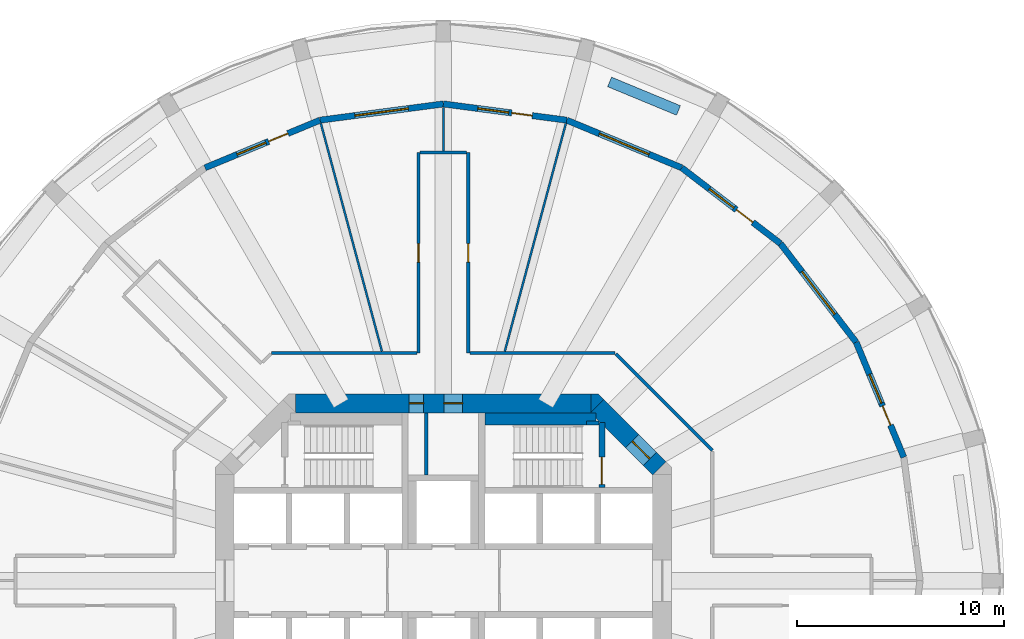
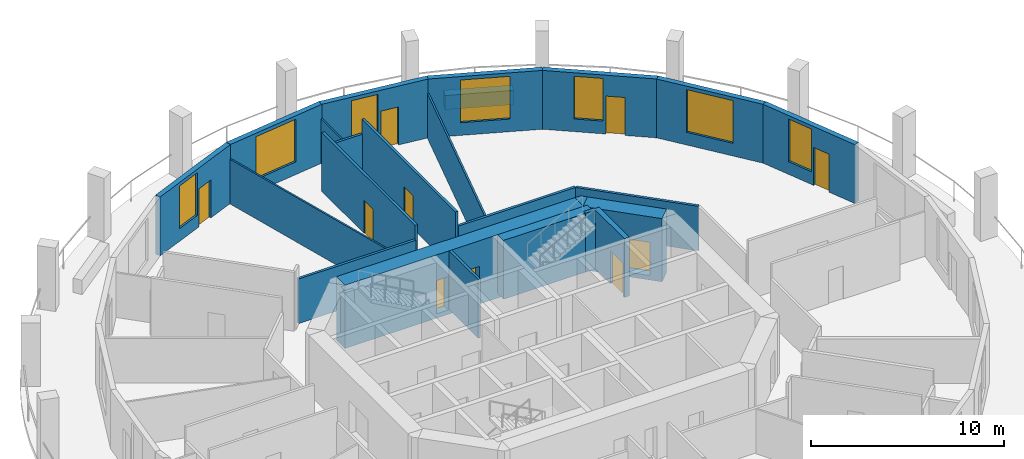
# One storey, part 6 of 9: 24 walls, 10 doors, 7 windows, 17 openings.
"""IFC4 building model written with IfcOpenShell, lengths in metres."""

from ifc_helpers import new_model, si_unit, direction, frame, frame_2d, origin, place, context, subcontext, project, spatial, polyline, rectangle, outline, extrude, material, layer, layer_set, type_object, element, fill, save


model = new_model("IFC4")

# Units and contexts
model_context = context("Model", 3, precision=1e-05, world=origin(), true_north=direction((0.0, 1.0)))
body_context = subcontext(model_context, "Body", "Model", "MODEL_VIEW")
ifc_project = project(units=[si_unit("LENGTHUNIT", "METRE"), si_unit("AREAUNIT", "SQUARE_METRE"), si_unit("VOLUMEUNIT", "CUBIC_METRE"), si_unit("PLANEANGLEUNIT", "RADIAN"), si_unit("MASSUNIT", "GRAM", prefix="KILO")], contexts=[model_context])

# Site, building, storey
site_placement = place(None, origin())
site = spatial("IfcSite", under=ifc_project, at=site_placement, CompositionType="ELEMENT")
building_placement = place(site_placement, origin())
building = spatial("IfcBuilding", under=site, at=building_placement, Name="Torre Triforio", CompositionType="ELEMENT")
storey_placement = place(building_placement, frame((0.0, 0.0, 31.0)))
storey = spatial("IfcBuildingStorey", under=building, at=storey_placement, Name="L05", CompositionType="ELEMENT", Elevation=31.0)

# Wall, openings, doors
ifc_material_1 = material(Name="Concrete C60", Category="concrete")
ifc_layer_1 = layer(ifc_material_1, 0.89990234375)
ifc_layer_set_1 = layer_set([ifc_layer_1], Name="Concrete C60")
wall_type_1 = type_object("IfcWallType", Name="Core wall 900 mm C60 EI 120", PredefinedType="SHEAR", material=ifc_layer_set_1)
wall_1_placement = place(storey_placement, frame((-7.1298828125, 8.550048828125, -0.280029296875), z_axis=(0.0, 0.0, 1.0), x_axis=(1.0, 0.0, 0.0)))
wall_1 = element("IfcWall", 1, at=wall_1_placement, inside=storey, type_object=wall_type_1, Name="Core wall", PredefinedType="SHEAR", context=body_context, shape_type="SweptSolid", body=[
    extrude(rectangle(XDim=14.259765625, YDim=0.89990234375, at=frame_2d((7.1298828125, 0.0))), origin(), (0.0, 0.0, 1.0), 4.0),
])
opening_1_placement = place(wall_1_placement, frame((5.47998046875, 0.0, 0.280029296875)))
opening_1 = element("IfcOpeningElement", 2, at=opening_1_placement, cuts=wall_1, Name="Opening RISER-N", PredefinedType="OPENING", context=body_context, shape_type="SweptSolid", body=[
    extrude(rectangle(XDim=0.699951171875, YDim=2.10009765625, at=frame_2d((0.35009765625, 1.050048828125))), frame((0.0, 0.4599609375, 0.0), z_axis=(0.0, -1.0, 0.0), x_axis=(1.0, 0.0, 0.0)), (0.0, 0.0, 1.0), 0.919921875),
])
opening_2_placement = place(wall_1_placement, frame((7.155029296875, 0.0, 0.280029296875)))
opening_2 = element("IfcOpeningElement", 3, at=opening_2_placement, cuts=wall_1, Name="Opening NE-01", PredefinedType="OPENING", context=body_context, shape_type="SweptSolid", body=[
    extrude(rectangle(XDim=0.89990234375, YDim=2.10009765625, at=frame_2d((0.449951171875, 1.050048828125))), frame((0.0, 0.4599609375, 0.0), z_axis=(0.0, -1.0, 0.0), x_axis=(1.0, 0.0, 0.0)), (0.0, 0.0, 1.0), 0.919921875),
])
ifc_material_2 = material(Name="Hollow metal fire door leaf")
door_type_1 = type_object("IfcDoorType", Name="Riser door 700 x 2100 EI 60", OperationType="NOTDEFINED", PredefinedType="DOOR", material=ifc_material_2)
door_1_placement = place(opening_1_placement, origin())
door_1 = element("IfcDoor", 4, at=door_1_placement, inside=storey, type_object=door_type_1, Name="Core door RISER-N", OperationType="SINGLE_SWING_LEFT", OverallHeight=2.10009765625, OverallWidth=0.699951171875, PredefinedType="DOOR", context=body_context, shape_type="SweptSolid", body=[
    extrude(rectangle(XDim=0.699951171875, YDim=2.10009765625, at=frame_2d((0.35009765625, 1.050048828125))), frame((0.0, 0.02490234375, 0.0), z_axis=(0.0, -1.0, 0.0), x_axis=(1.0, 0.0, 0.0)), (0.0, 0.0, 1.0), 0.050048828125),
])
fill(opening_1, door_1)
door_type_2 = type_object("IfcDoorType", Name="Room door 900 x 2100 EI 60", OperationType="NOTDEFINED", PredefinedType="DOOR", material=ifc_material_2)
door_2_placement = place(opening_2_placement, origin())
door_2 = element("IfcDoor", 5, at=door_2_placement, inside=storey, type_object=door_type_2, Name="Core door NE-01", OperationType="SINGLE_SWING_RIGHT", OverallHeight=2.10009765625, OverallWidth=0.89990234375, PredefinedType="DOOR", context=body_context, shape_type="SweptSolid", body=[
    extrude(rectangle(XDim=0.89990234375, YDim=2.10009765625, at=frame_2d((0.449951171875, 1.050048828125))), frame((0.0, 0.02490234375, 0.0), z_axis=(0.0, -1.0, 0.0), x_axis=(1.0, 0.0, 0.0)), (0.0, 0.0, 1.0), 0.050048828125),
])
fill(opening_2, door_2)

# Wall, opening, door
wall_2_placement = place(storey_placement, frame((7.418212890625, 8.418212890625, -0.280029296875), z_axis=(0.0, 0.0, 1.0), x_axis=(0.707106781187, -0.707106781187, 0.0)))
wall_2 = element("IfcWall", 6, at=wall_2_placement, inside=storey, type_object=wall_type_1, Name="Core wall", PredefinedType="SHEAR", context=body_context, shape_type="SweptSolid", body=[
    extrude(rectangle(XDim=4.24267578125, YDim=0.89990234375, at=frame_2d((2.121337890625, 0.0))), origin(), (0.0, 0.0, 1.0), 4.0),
])
opening_3_placement = place(wall_2_placement, frame((2.392578125, 0.0, 0.280029296875)))
opening_3 = element("IfcOpeningElement", 7, at=opening_3_placement, cuts=wall_2, Name="Opening ST2-EXIT", PredefinedType="OPENING", context=body_context, shape_type="SweptSolid", body=[
    extrude(rectangle(XDim=1.199951171875, YDim=2.10009765625, at=frame_2d((0.60009765625, 1.050048828125))), frame((0.0, 0.4599609375, 0.0), z_axis=(0.0, -1.0, 0.0), x_axis=(1.0, 0.0, 0.0)), (0.0, 0.0, 1.0), 0.919921875),
])
door_type_3 = type_object("IfcDoorType", Name="Stair lobby door 1200 x 2100 EI 60", OperationType="NOTDEFINED", PredefinedType="DOOR", material=ifc_material_2)
door_3_placement = place(opening_3_placement, origin())
door_3 = element("IfcDoor", 8, at=door_3_placement, inside=storey, type_object=door_type_3, Name="Core door ST2-EXIT", OperationType="SINGLE_SWING_RIGHT", OverallHeight=2.10009765625, OverallWidth=1.199951171875, PredefinedType="DOOR", context=body_context, shape_type="SweptSolid", body=[
    extrude(rectangle(XDim=1.199951171875, YDim=2.10009765625, at=frame_2d((0.60009765625, 1.050048828125))), frame((0.0, 0.02490234375, 0.0), z_axis=(0.0, -1.0, 0.0), x_axis=(1.0, 0.0, 0.0)), (0.0, 0.0, 1.0), 0.050048828125),
])
fill(opening_3, door_3)

# Walls
wall_3_placement = place(storey_placement, frame((0.0, 0.0, -0.280029296875)))
element("IfcWall", 9, at=wall_3_placement, inside=storey, type_object=wall_type_1, Name="Core wall", PredefinedType="SHEAR", context=body_context, shape_type="SweptSolid", body=[
    extrude(outline(polyline([(7.472900390625, 9.0), (7.736328125, 8.736328125), (7.1298828125, 8.1298828125), (7.1298828125, 9.0), (7.472900390625, 9.0)])), origin(), (0.0, 0.0, 1.0), 4.0),
])
ifc_material_3 = material(Name="Plasterboard on metal studs")
ifc_layer_2 = layer(ifc_material_3, 0.14990234375)
ifc_layer_set_2 = layer_set([ifc_layer_2], Name="Plasterboard on metal studs")
wall_type_2 = type_object("IfcWallType", Name="Corridor and tenancy wall 150 mm EI 60", PredefinedType="PARTITIONING", material=ifc_layer_set_2)
wall_4_placement = place(storey_placement, frame((-8.291015625, 10.97509765625, 0.0), z_axis=(0.0, 0.0, 1.0), x_axis=(1.0, 0.0, 0.0)))
element("IfcWall", 10, at=wall_4_placement, inside=storey, type_object=wall_type_2, Name="Partition 21", PredefinedType="PARTITIONING", context=body_context, shape_type="SweptSolid", body=[
    extrude(rectangle(XDim=7.01611328125, YDim=0.14990234375, at=frame_2d((3.508056640625, 0.0))), origin(), (0.0, 0.0, 1.0), 2.820068359375),
])

# Wall, opening, door
wall_5_placement = place(storey_placement, frame((-1.199951171875, 10.97509765625, 0.0), z_axis=(0.0, 0.0, 1.0), x_axis=(0.0, 1.0, 0.0)))
wall_5 = element("IfcWall", 11, at=wall_5_placement, inside=storey, type_object=wall_type_2, Name="Partition 22", PredefinedType="PARTITIONING", context=body_context, shape_type="SweptSolid", body=[
    extrude(rectangle(XDim=9.673583984375, YDim=0.14990234375, at=frame_2d((4.8369140625, 0.0))), origin(), (0.0, 0.0, 1.0), 3.719970703125),
])
opening_4_placement = place(wall_5_placement, frame((4.386962890625, 0.0, 0.0)))
opening_4 = element("IfcOpeningElement", 12, at=opening_4_placement, cuts=wall_5, Name="Opening N1-03", PredefinedType="OPENING", context=body_context, shape_type="SweptSolid", body=[
    extrude(rectangle(XDim=0.89990234375, YDim=2.10009765625, at=frame_2d((0.449951171875, 1.050048828125))), frame((0.0, 0.0849609375, 0.0), z_axis=(0.0, -1.0, 0.0), x_axis=(1.0, 0.0, 0.0)), (0.0, 0.0, 1.0), 0.169921875),
])
ifc_material_4 = material(Name="Timber", Category="wood")
door_type_4 = type_object("IfcDoorType", Name="Door 900 x 2100 single leaf EI 30", OperationType="NOTDEFINED", PredefinedType="DOOR", material=ifc_material_4)
door_4_placement = place(opening_4_placement, origin())
door_4 = element("IfcDoor", 13, at=door_4_placement, inside=storey, type_object=door_type_4, Name="Door N1-03", OperationType="SINGLE_SWING_RIGHT", OverallHeight=2.10009765625, OverallWidth=0.89990234375, PredefinedType="DOOR", context=body_context, shape_type="SweptSolid", body=[
    extrude(rectangle(XDim=0.89990234375, YDim=2.10009765625, at=frame_2d((0.449951171875, 1.050048828125))), frame((0.0, 0.02490234375, 0.0), z_axis=(0.0, -1.0, 0.0), x_axis=(1.0, 0.0, 0.0)), (0.0, 0.0, 1.0), 0.050048828125),
])
fill(opening_4, door_4)

# Wall
wall_6_placement = place(storey_placement, frame((-1.125, 20.648681640625, 0.0), z_axis=(0.0, 0.0, 1.0), x_axis=(1.0, 0.0, 0.0)))
element("IfcWall", 14, at=wall_6_placement, inside=storey, type_object=wall_type_2, Name="Partition 23", PredefinedType="PARTITIONING", context=body_context, shape_type="SweptSolid", body=[
    extrude(rectangle(XDim=2.25, YDim=0.14990234375, at=frame_2d((1.125, 0.0))), origin(), (0.0, 0.0, 1.0), 2.820068359375),
])

# Wall, opening, door
wall_7_placement = place(storey_placement, frame((1.199951171875, 20.648681640625, 0.0), z_axis=(0.0, 0.0, 1.0), x_axis=(0.0, -1.0, 0.0)))
wall_7 = element("IfcWall", 15, at=wall_7_placement, inside=storey, type_object=wall_type_2, Name="Partition 24", PredefinedType="PARTITIONING", context=body_context, shape_type="SweptSolid", body=[
    extrude(rectangle(XDim=9.673583984375, YDim=0.14990234375, at=frame_2d((4.8369140625, 0.0))), origin(), (0.0, 0.0, 1.0), 3.719970703125),
])
opening_5_placement = place(wall_7_placement, frame((4.386962890625, 0.0, 0.0)))
opening_5 = element("IfcOpeningElement", 16, at=opening_5_placement, cuts=wall_7, Name="Opening N1-02", PredefinedType="OPENING", context=body_context, shape_type="SweptSolid", body=[
    extrude(rectangle(XDim=0.89990234375, YDim=2.10009765625, at=frame_2d((0.449951171875, 1.050048828125))), frame((0.0, 0.0849609375, 0.0), z_axis=(0.0, -1.0, 0.0), x_axis=(1.0, 0.0, 0.0)), (0.0, 0.0, 1.0), 0.169921875),
])
door_5_placement = place(opening_5_placement, origin())
door_5 = element("IfcDoor", 17, at=door_5_placement, inside=storey, type_object=door_type_4, Name="Door N1-02", OperationType="SINGLE_SWING_RIGHT", OverallHeight=2.10009765625, OverallWidth=0.89990234375, PredefinedType="DOOR", context=body_context, shape_type="SweptSolid", body=[
    extrude(rectangle(XDim=0.89990234375, YDim=2.10009765625, at=frame_2d((0.449951171875, 1.050048828125))), frame((0.0, 0.02490234375, 0.0), z_axis=(0.0, -1.0, 0.0), x_axis=(1.0, 0.0, 0.0)), (0.0, 0.0, 1.0), 0.050048828125),
])
fill(opening_5, door_5)

# Walls
wall_8_placement = place(storey_placement, frame((1.27490234375, 10.97509765625, 0.0), z_axis=(0.0, 0.0, 1.0), x_axis=(1.0, 0.0, 0.0)))
element("IfcWall", 18, at=wall_8_placement, inside=storey, type_object=wall_type_2, Name="Partition 25", PredefinedType="PARTITIONING", context=body_context, shape_type="SweptSolid", body=[
    extrude(rectangle(XDim=7.01611328125, YDim=0.14990234375, at=frame_2d((3.508056640625, 0.0))), origin(), (0.0, 0.0, 1.0), 2.820068359375),
])
wall_9_placement = place(storey_placement, frame((8.327880859375, 10.93798828125, 0.0), z_axis=(0.0, 0.0, 1.0), x_axis=(0.707125355289, -0.707088206597, 0.0)))
element("IfcWall", 19, at=wall_9_placement, inside=storey, type_object=wall_type_2, Name="Partition 26", PredefinedType="PARTITIONING", context=body_context, shape_type="SweptSolid", body=[
    extrude(rectangle(XDim=6.572021484375, YDim=0.14990234375, at=frame_2d((3.2861328125, 0.0))), origin(), (0.0, 0.0, 1.0), 2.820068359375),
])
ifc_layer_3 = layer(ifc_material_3, 0.10009765625)
ifc_layer_set_3 = layer_set([ifc_layer_3], Name="Plasterboard on metal studs")
wall_type_3 = type_object("IfcWallType", Name="Partition 100 mm board on metal studs", PredefinedType="PARTITIONING", material=ifc_layer_set_3)
wall_10_placement = place(storey_placement, frame((2.964599609375, 11.064208984375, 0.0), z_axis=(0.0, 0.0, 1.0), x_axis=(0.258827930947, 0.965923445291, 0.0)))
element("IfcWall", 20, at=wall_10_placement, inside=storey, type_object=wall_type_3, Name="Partition 36", PredefinedType="PARTITIONING", context=body_context, shape_type="SweptSolid", body=[
    extrude(rectangle(XDim=11.38232421875, YDim=0.10009765625, at=frame_2d((5.691162109375, 0.0))), origin(), (0.0, 0.0, 1.0), 2.820068359375),
])
wall_11_placement = place(storey_placement, frame((0.0, 20.7236328125, 0.0), z_axis=(0.0, 0.0, 1.0), x_axis=(0.0, 1.0, 0.0)))
element("IfcWall", 21, at=wall_11_placement, inside=storey, type_object=wall_type_3, Name="Partition 37", PredefinedType="PARTITIONING", context=body_context, shape_type="SweptSolid", body=[
    extrude(rectangle(XDim=2.113037109375, YDim=0.10009765625, at=frame_2d((1.056640625, 0.0))), origin(), (0.0, 0.0, 1.0), 2.820068359375),
])
wall_12_placement = place(storey_placement, frame((-2.964599609375, 11.064208984375, 0.0), z_axis=(0.0, 0.0, 1.0), x_axis=(-0.258827930947, 0.965923445291, 0.0)))
element("IfcWall", 22, at=wall_12_placement, inside=storey, type_object=wall_type_3, Name="Partition 38", PredefinedType="PARTITIONING", context=body_context, shape_type="SweptSolid", body=[
    extrude(rectangle(XDim=11.38232421875, YDim=0.10009765625, at=frame_2d((5.691162109375, 0.0))), origin(), (0.0, 0.0, 1.0), 2.820068359375),
])
ifc_material_5 = material(Name="Block and board partition")
ifc_layer_4 = layer(ifc_material_5, 0.14990234375)
ifc_layer_set_4 = layer_set([ifc_layer_4], Name="Block and board partition")
wall_type_4 = type_object("IfcWallType", Name="Partition 150 mm EI 120", PredefinedType="PARTITIONING", material=ifc_layer_set_4)
wall_13_placement = place(storey_placement, frame((-0.824951171875, 5.10009765625, 0.0), z_axis=(0.0, 0.0, 1.0), x_axis=(0.0, 1.0, 0.0)))
element("IfcWall", 23, at=wall_13_placement, inside=storey, type_object=wall_type_4, Name="Partition", PredefinedType="PARTITIONING", context=body_context, shape_type="SweptSolid", body=[
    extrude(rectangle(XDim=3.0, YDim=0.14990234375, at=frame_2d((1.5, 0.0))), origin(), (0.0, 0.0, 1.0), 3.719970703125),
])
ifc_material_6 = material(Name="Limestone cladding", Category="masonry")
ifc_layer_5 = layer(ifc_material_6, 0.10009765625)
ifc_material_7 = material(Name="Concrete C40", Category="concrete")
ifc_layer_6 = layer(ifc_material_7, 0.39990234375)
ifc_layer_set_5 = layer_set([ifc_layer_5, ifc_layer_6], Name="Limestone cladding / Concrete C40")
wall_type_5 = type_object("IfcWallType", Name="Planter wall 500", PredefinedType="PARAPET", material=ifc_layer_set_5)
wall_14_placement = place(storey_placement, frame((11.344970703125, 22.685302734375, 0.0), z_axis=(0.0, 0.0, 1.0), x_axis=(-0.923885420167, 0.382669217998, 0.0)))
element("IfcWall", 24, at=wall_14_placement, inside=storey, type_object=wall_type_5, Name="Planter L05 bay 05", PredefinedType="PARAPET", context=body_context, shape_type="SweptSolid", body=[
    extrude(rectangle(XDim=3.60009765625, YDim=0.5, at=frame_2d((1.800048828125, 0.0))), origin(), (0.0, 0.0, 1.0), 0.89990234375),
])
ifc_layer_7 = layer(ifc_material_1, 0.199951171875)
ifc_layer_set_6 = layer_set([ifc_layer_7], Name="Concrete C60")
wall_type_6 = type_object("IfcWallType", Name="Stair wall 200 mm C60 EI 120", PredefinedType="SHEAR", material=ifc_layer_set_6)
wall_15_placement = place(storey_placement, frame((6.89990234375, 7.60009765625, 0.0), z_axis=(0.0, 0.0, 1.0), x_axis=(1.0, 0.0, 0.0)))
element("IfcWall", 25, at=wall_15_placement, inside=storey, type_object=wall_type_6, Name="Stair wall", PredefinedType="SHEAR", context=body_context, shape_type="SweptSolid", body=[
    extrude(rectangle(XDim=0.60009765625, YDim=0.199951171875, at=frame_2d((0.300048828125, 0.0))), origin(), (0.0, 0.0, 1.0), 3.719970703125),
])

# Wall, opening, door
ifc_layer_8 = layer(ifc_material_1, 0.300048828125)
ifc_layer_set_7 = layer_set([ifc_layer_8], Name="Concrete C60")
wall_type_7 = type_object("IfcWallType", Name="Stair wall 300 mm C60 EI 120", PredefinedType="SHEAR", material=ifc_layer_set_7)
wall_16_placement = place(storey_placement, frame((7.64990234375, 4.5, 0.0), z_axis=(0.0, 0.0, 1.0), x_axis=(0.0, 1.0, 0.0)))
wall_16 = element("IfcWall", 26, at=wall_16_placement, inside=storey, type_object=wall_type_7, Name="Stair wall", PredefinedType="SHEAR", context=body_context, shape_type="SweptSolid", body=[
    extrude(rectangle(XDim=3.139892578125, YDim=0.300048828125, at=frame_2d((1.56982421875, 0.0))), origin(), (0.0, 0.0, 1.0), 3.719970703125),
])
opening_6_placement = place(wall_16_placement, frame((0.139892578125, 0.0, 0.0)))
opening_6 = element("IfcOpeningElement", 27, at=opening_6_placement, cuts=wall_16, Name="Opening ST2-STA", PredefinedType="OPENING", context=body_context, shape_type="SweptSolid", body=[
    extrude(rectangle(XDim=1.320068359375, YDim=2.10009765625, at=frame_2d((0.66015625, 1.050048828125))), frame((0.0, 0.159912109375, 0.0), z_axis=(0.0, -1.0, 0.0), x_axis=(1.0, 0.0, 0.0)), (0.0, 0.0, 1.0), 0.320068359375),
])
door_type_5 = type_object("IfcDoorType", Name="Stair door 1320 x 2100 EI 90", OperationType="DOUBLE_DOOR_SINGLE_SWING", PredefinedType="DOOR", material=ifc_material_2)
door_6_placement = place(opening_6_placement, origin())
door_6 = element("IfcDoor", 28, at=door_6_placement, inside=storey, type_object=door_type_5, Name="Core door ST2-ST", OperationType="DOUBLE_DOOR_SINGLE_SWING", OverallHeight=2.10009765625, OverallWidth=1.320068359375, PredefinedType="DOOR", context=body_context, shape_type="SweptSolid", body=[
    extrude(rectangle(XDim=1.320068359375, YDim=2.10009765625, at=frame_2d((0.66015625, 1.050048828125))), frame((0.0, 0.02490234375, 0.0), z_axis=(0.0, -1.0, 0.0), x_axis=(1.0, 0.0, 0.0)), (0.0, 0.0, 1.0), 0.050048828125),
])
fill(opening_6, door_6)

# Wall
ifc_layer_9 = layer(ifc_material_1, 0.60009765625)
ifc_layer_set_8 = layer_set([ifc_layer_9], Name="Concrete C60")
wall_type_8 = type_object("IfcWallType", Name="Stair wall 600 mm C60 EI 120", PredefinedType="SHEAR", material=ifc_layer_set_8)
wall_17_placement = place(storey_placement, frame((2.0, 7.800048828125, 0.0), z_axis=(0.0, 0.0, 1.0), x_axis=(1.0, 0.0, 0.0)))
element("IfcWall", 29, at=wall_17_placement, inside=storey, type_object=wall_type_8, Name="Stair wall", PredefinedType="SHEAR", context=body_context, shape_type="SweptSolid", body=[
    extrude(rectangle(XDim=5.3701171875, YDim=0.60009765625, at=frame_2d((2.68505859375, 0.0))), origin(), (0.0, 0.0, 1.0), 3.719970703125),
])

# Wall, openings, door, window
ifc_layer_10 = layer(ifc_material_6, 0.10009765625)
ifc_layer_11 = layer(ifc_material_7, 0.199951171875)
ifc_layer_set_9 = layer_set([ifc_layer_10, ifc_layer_11], Name="Limestone cladding / Concrete C40")
wall_type_9 = type_object("IfcWallType", Name="Stone-faced composite wall 300", PredefinedType="STANDARD", material=ifc_layer_set_9)
wall_18_placement = place(storey_placement, frame((22.21630859375, 5.952880859375, 0.0), z_axis=(0.0, 0.0, 1.0), x_axis=(-0.382671411433, 0.923884511653, 0.0)))
wall_18 = element("IfcWall", 30, at=wall_18_placement, inside=storey, type_object=wall_type_9, Name="External wall L05 bay 02", PredefinedType="STANDARD", context=body_context, shape_type="SweptSolid", body=[
    extrude(rectangle(XDim=6.004150390625, YDim=0.300048828125, at=frame_2d((3.001953125, 0.0))), origin(), (0.0, 0.0, 1.0), 3.719970703125),
])
opening_7_placement = place(wall_18_placement, frame((1.677001953125, 0.0, 0.0)))
opening_7 = element("IfcOpeningElement", 31, at=opening_7_placement, cuts=wall_18, Name="Opening N1-D02", PredefinedType="OPENING", context=body_context, shape_type="SweptSolid", body=[
    extrude(rectangle(XDim=1.0, YDim=2.39990234375, at=frame_2d((0.5, 1.199951171875))), frame((0.0, 0.159912109375, 0.0), z_axis=(0.0, -1.0, 0.0), x_axis=(1.0, 0.0, 0.0)), (0.0, 0.0, 1.0), 0.320068359375),
])
opening_8_placement = place(wall_18_placement, frame((2.8271484375, 0.0, 0.800048828125)))
opening_8 = element("IfcOpeningElement", 32, at=opening_8_placement, cuts=wall_18, Name="Opening N1-W02A", PredefinedType="OPENING", context=body_context, shape_type="SweptSolid", body=[
    extrude(rectangle(XDim=1.5, YDim=2.699951171875, at=frame_2d((0.75, 1.35009765625))), frame((0.0, 0.159912109375, 0.0), z_axis=(0.0, -1.0, 0.0), x_axis=(1.0, 0.0, 0.0)), (0.0, 0.0, 1.0), 0.320068359375),
])
ifc_material_8 = material(Name="Aluminium frame with clear double glazing", Category="aluminium")
door_type_6 = type_object("IfcDoorType", Name="Loggia door 1000 x 2400", OperationType="NOTDEFINED", PredefinedType="DOOR", material=ifc_material_8)
door_7_placement = place(opening_7_placement, origin())
door_7 = element("IfcDoor", 33, at=door_7_placement, inside=storey, type_object=door_type_6, Name="Loggia door L05 bay 02", OperationType="SINGLE_SWING_RIGHT", OverallHeight=2.39990234375, OverallWidth=1.0, PredefinedType="DOOR", context=body_context, shape_type="SweptSolid", body=[
    extrude(rectangle(XDim=1.0, YDim=2.39990234375, at=frame_2d((0.5, 1.199951171875))), frame((0.0, 0.02490234375, 0.0), z_axis=(0.0, -1.0, 0.0), x_axis=(1.0, 0.0, 0.0)), (0.0, 0.0, 1.0), 0.050048828125),
])
fill(opening_7, door_7)
window_type_1 = type_object("IfcWindowType", Name="Side window 1500 x 2700", PartitioningType="SINGLE_PANEL", PredefinedType="WINDOW", material=ifc_material_8)
window_1_placement = place(opening_8_placement, origin())
window_1 = element("IfcWindow", 34, at=window_1_placement, inside=storey, type_object=window_type_1, Name="Side window EWN12 L05 bay 02", OverallHeight=2.699951171875, OverallWidth=1.5, PartitioningType="SINGLE_PANEL", PredefinedType="WINDOW", context=body_context, shape_type="SweptSolid", body=[
    extrude(rectangle(XDim=1.5, YDim=2.699951171875, at=frame_2d((0.75, 1.35009765625))), frame((0.0, 0.030029296875, 0.0), z_axis=(0.0, -1.0, 0.0), x_axis=(1.0, 0.0, 0.0)), (0.0, 0.0, 1.0), 0.06005859375),
])
fill(opening_8, window_1)

# Wall, opening, window
wall_19_placement = place(storey_placement, frame((19.918701171875, 11.5, 0.0), z_axis=(0.0, 0.0, 1.0), x_axis=(-0.608778912074, 0.793339924758, 0.0)))
wall_19 = element("IfcWall", 35, at=wall_19_placement, inside=storey, type_object=wall_type_9, Name="External wall L05 bay 03", PredefinedType="STANDARD", context=body_context, shape_type="SweptSolid", body=[
    extrude(rectangle(XDim=6.004150390625, YDim=0.300048828125, at=frame_2d((3.001953125, 0.0))), origin(), (0.0, 0.0, 1.0), 3.719970703125),
])
opening_9_placement = place(wall_19_placement, frame((1.7021484375, 0.0, 0.800048828125)))
opening_9 = element("IfcOpeningElement", 36, at=opening_9_placement, cuts=wall_19, Name="Opening N1-W03", PredefinedType="OPENING", context=body_context, shape_type="SweptSolid", body=[
    extrude(rectangle(XDim=2.60009765625, YDim=2.699951171875, at=frame_2d((1.300048828125, 1.35009765625))), frame((0.0, 0.159912109375, 0.0), z_axis=(0.0, -1.0, 0.0), x_axis=(1.0, 0.0, 0.0)), (0.0, 0.0, 1.0), 0.320068359375),
])
window_type_2 = type_object("IfcWindowType", Name="Punched window 2600 x 2700", PartitioningType="DOUBLE_PANEL_VERTICAL", PredefinedType="WINDOW", material=ifc_material_8)
window_2_placement = place(opening_9_placement, origin())
window_2 = element("IfcWindow", 37, at=window_2_placement, inside=storey, type_object=window_type_2, Name="Window EWN2 L05 bay 03", OverallHeight=2.699951171875, OverallWidth=2.60009765625, PartitioningType="SINGLE_PANEL", PredefinedType="WINDOW", context=body_context, shape_type="SweptSolid", body=[
    extrude(rectangle(XDim=2.60009765625, YDim=2.699951171875, at=frame_2d((1.300048828125, 1.35009765625))), frame((0.0, 0.030029296875, 0.0), z_axis=(0.0, -1.0, 0.0), x_axis=(1.0, 0.0, 0.0)), (0.0, 0.0, 1.0), 0.06005859375),
])
fill(opening_9, window_2)

# Wall, openings, door, window
wall_20_placement = place(storey_placement, frame((16.263427734375, 16.263427734375, 0.0), z_axis=(0.0, 0.0, 1.0), x_axis=(-0.793339924758, 0.608778912074, 0.0)))
wall_20 = element("IfcWall", 38, at=wall_20_placement, inside=storey, type_object=wall_type_9, Name="External wall L05 bay 04", PredefinedType="STANDARD", context=body_context, shape_type="SweptSolid", body=[
    extrude(rectangle(XDim=6.004150390625, YDim=0.300048828125, at=frame_2d((3.001953125, 0.0))), origin(), (0.0, 0.0, 1.0), 3.719970703125),
])
opening_10_placement = place(wall_20_placement, frame((1.677001953125, 0.0, 0.0)))
opening_10 = element("IfcOpeningElement", 39, at=opening_10_placement, cuts=wall_20, Name="Opening N1-D04", PredefinedType="OPENING", context=body_context, shape_type="SweptSolid", body=[
    extrude(rectangle(XDim=1.0, YDim=2.39990234375, at=frame_2d((0.5, 1.199951171875))), frame((0.0, 0.159912109375, 0.0), z_axis=(0.0, -1.0, 0.0), x_axis=(1.0, 0.0, 0.0)), (0.0, 0.0, 1.0), 0.320068359375),
])
opening_11_placement = place(wall_20_placement, frame((2.8271484375, 0.0, 0.800048828125)))
opening_11 = element("IfcOpeningElement", 40, at=opening_11_placement, cuts=wall_20, Name="Opening N1-W04A", PredefinedType="OPENING", context=body_context, shape_type="SweptSolid", body=[
    extrude(rectangle(XDim=1.5, YDim=2.699951171875, at=frame_2d((0.75, 1.35009765625))), frame((0.0, 0.159912109375, 0.0), z_axis=(0.0, -1.0, 0.0), x_axis=(1.0, 0.0, 0.0)), (0.0, 0.0, 1.0), 0.320068359375),
])
door_8_placement = place(opening_10_placement, origin())
door_8 = element("IfcDoor", 41, at=door_8_placement, inside=storey, type_object=door_type_6, Name="Loggia door L05 bay 04", OperationType="SINGLE_SWING_LEFT", OverallHeight=2.39990234375, OverallWidth=1.0, PredefinedType="DOOR", context=body_context, shape_type="SweptSolid", body=[
    extrude(rectangle(XDim=1.0, YDim=2.39990234375, at=frame_2d((0.5, 1.199951171875))), frame((0.0, 0.02490234375, 0.0), z_axis=(0.0, -1.0, 0.0), x_axis=(1.0, 0.0, 0.0)), (0.0, 0.0, 1.0), 0.050048828125),
])
fill(opening_10, door_8)
window_3_placement = place(opening_11_placement, origin())
window_3 = element("IfcWindow", 42, at=window_3_placement, inside=storey, type_object=window_type_1, Name="Side window EWN12 L05 bay 04", OverallHeight=2.699951171875, OverallWidth=1.5, PartitioningType="SINGLE_PANEL", PredefinedType="WINDOW", context=body_context, shape_type="SweptSolid", body=[
    extrude(rectangle(XDim=1.5, YDim=2.699951171875, at=frame_2d((0.75, 1.35009765625))), frame((0.0, 0.030029296875, 0.0), z_axis=(0.0, -1.0, 0.0), x_axis=(1.0, 0.0, 0.0)), (0.0, 0.0, 1.0), 0.06005859375),
])
fill(opening_11, window_3)

# Wall, opening, window
wall_21_placement = place(storey_placement, frame((11.5, 19.918701171875, 0.0), z_axis=(0.0, 0.0, 1.0), x_axis=(-0.923884511653, 0.382671411433, 0.0)))
wall_21 = element("IfcWall", 43, at=wall_21_placement, inside=storey, type_object=wall_type_9, Name="External wall L05 bay 05", PredefinedType="STANDARD", context=body_context, shape_type="SweptSolid", body=[
    extrude(rectangle(XDim=6.004150390625, YDim=0.300048828125, at=frame_2d((3.001953125, 0.0))), origin(), (0.0, 0.0, 1.0), 3.719970703125),
])
opening_12_placement = place(wall_21_placement, frame((1.7021484375, 0.0, 0.800048828125)))
opening_12 = element("IfcOpeningElement", 44, at=opening_12_placement, cuts=wall_21, Name="Opening N1-W05", PredefinedType="OPENING", context=body_context, shape_type="SweptSolid", body=[
    extrude(rectangle(XDim=2.60009765625, YDim=2.699951171875, at=frame_2d((1.300048828125, 1.35009765625))), frame((0.0, 0.159912109375, 0.0), z_axis=(0.0, -1.0, 0.0), x_axis=(1.0, 0.0, 0.0)), (0.0, 0.0, 1.0), 0.320068359375),
])
window_4_placement = place(opening_12_placement, origin())
window_4 = element("IfcWindow", 45, at=window_4_placement, inside=storey, type_object=window_type_2, Name="Window EWN2 L05 bay 05", OverallHeight=2.699951171875, OverallWidth=2.60009765625, PartitioningType="SINGLE_PANEL", PredefinedType="WINDOW", context=body_context, shape_type="SweptSolid", body=[
    extrude(rectangle(XDim=2.60009765625, YDim=2.699951171875, at=frame_2d((1.300048828125, 1.35009765625))), frame((0.0, 0.030029296875, 0.0), z_axis=(0.0, -1.0, 0.0), x_axis=(1.0, 0.0, 0.0)), (0.0, 0.0, 1.0), 0.06005859375),
])
fill(opening_12, window_4)

# Wall, openings, door, window
wall_22_placement = place(storey_placement, frame((5.952880859375, 22.21630859375, 0.0), z_axis=(0.0, 0.0, 1.0), x_axis=(-0.991445297315, 0.130522880875, 0.0)))
wall_22 = element("IfcWall", 46, at=wall_22_placement, inside=storey, type_object=wall_type_9, Name="External wall L05 bay 06", PredefinedType="STANDARD", context=body_context, shape_type="SweptSolid", body=[
    extrude(rectangle(XDim=6.004150390625, YDim=0.300048828125, at=frame_2d((3.001953125, 0.0))), origin(), (0.0, 0.0, 1.0), 3.719970703125),
])
opening_13_placement = place(wall_22_placement, frame((1.677001953125, 0.0, 0.0)))
opening_13 = element("IfcOpeningElement", 47, at=opening_13_placement, cuts=wall_22, Name="Opening N1-D06", PredefinedType="OPENING", context=body_context, shape_type="SweptSolid", body=[
    extrude(rectangle(XDim=1.0, YDim=2.39990234375, at=frame_2d((0.5, 1.199951171875))), frame((0.0, 0.159912109375, 0.0), z_axis=(0.0, -1.0, 0.0), x_axis=(1.0, 0.0, 0.0)), (0.0, 0.0, 1.0), 0.320068359375),
])
opening_14_placement = place(wall_22_placement, frame((2.8271484375, 0.0, 0.800048828125)))
opening_14 = element("IfcOpeningElement", 48, at=opening_14_placement, cuts=wall_22, Name="Opening N1-W06A", PredefinedType="OPENING", context=body_context, shape_type="SweptSolid", body=[
    extrude(rectangle(XDim=1.5, YDim=2.699951171875, at=frame_2d((0.75, 1.35009765625))), frame((0.0, 0.159912109375, 0.0), z_axis=(0.0, -1.0, 0.0), x_axis=(1.0, 0.0, 0.0)), (0.0, 0.0, 1.0), 0.320068359375),
])
door_9_placement = place(opening_13_placement, origin())
door_9 = element("IfcDoor", 49, at=door_9_placement, inside=storey, type_object=door_type_6, Name="Loggia door L05 bay 06", OperationType="SINGLE_SWING_RIGHT", OverallHeight=2.39990234375, OverallWidth=1.0, PredefinedType="DOOR", context=body_context, shape_type="SweptSolid", body=[
    extrude(rectangle(XDim=1.0, YDim=2.39990234375, at=frame_2d((0.5, 1.199951171875))), frame((0.0, 0.02490234375, 0.0), z_axis=(0.0, -1.0, 0.0), x_axis=(1.0, 0.0, 0.0)), (0.0, 0.0, 1.0), 0.050048828125),
])
fill(opening_13, door_9)
window_5_placement = place(opening_14_placement, origin())
window_5 = element("IfcWindow", 50, at=window_5_placement, inside=storey, type_object=window_type_1, Name="Side window EWN12 L05 bay 06", OverallHeight=2.699951171875, OverallWidth=1.5, PartitioningType="SINGLE_PANEL", PredefinedType="WINDOW", context=body_context, shape_type="SweptSolid", body=[
    extrude(rectangle(XDim=1.5, YDim=2.699951171875, at=frame_2d((0.75, 1.35009765625))), frame((0.0, 0.030029296875, 0.0), z_axis=(0.0, -1.0, 0.0), x_axis=(1.0, 0.0, 0.0)), (0.0, 0.0, 1.0), 0.06005859375),
])
fill(opening_14, window_5)

# Wall, opening, window
wall_23_placement = place(storey_placement, frame((0.0, 23.0, 0.0), z_axis=(0.0, 0.0, 1.0), x_axis=(-0.991445297315, -0.130522880875, 0.0)))
wall_23 = element("IfcWall", 51, at=wall_23_placement, inside=storey, type_object=wall_type_9, Name="External wall L05 bay 07", PredefinedType="STANDARD", context=body_context, shape_type="SweptSolid", body=[
    extrude(rectangle(XDim=6.004150390625, YDim=0.300048828125, at=frame_2d((3.001953125, 0.0))), origin(), (0.0, 0.0, 1.0), 3.719970703125),
])
opening_15_placement = place(wall_23_placement, frame((1.7021484375, 0.0, 0.800048828125)))
opening_15 = element("IfcOpeningElement", 52, at=opening_15_placement, cuts=wall_23, Name="Opening N1-W07", PredefinedType="OPENING", context=body_context, shape_type="SweptSolid", body=[
    extrude(rectangle(XDim=2.60009765625, YDim=2.699951171875, at=frame_2d((1.300048828125, 1.35009765625))), frame((0.0, 0.159912109375, 0.0), z_axis=(0.0, -1.0, 0.0), x_axis=(1.0, 0.0, 0.0)), (0.0, 0.0, 1.0), 0.320068359375),
])
window_6_placement = place(opening_15_placement, origin())
window_6 = element("IfcWindow", 53, at=window_6_placement, inside=storey, type_object=window_type_2, Name="Window EWN2 L05 bay 07", OverallHeight=2.699951171875, OverallWidth=2.60009765625, PartitioningType="SINGLE_PANEL", PredefinedType="WINDOW", context=body_context, shape_type="SweptSolid", body=[
    extrude(rectangle(XDim=2.60009765625, YDim=2.699951171875, at=frame_2d((1.300048828125, 1.35009765625))), frame((0.0, 0.030029296875, 0.0), z_axis=(0.0, -1.0, 0.0), x_axis=(1.0, 0.0, 0.0)), (0.0, 0.0, 1.0), 0.06005859375),
])
fill(opening_15, window_6)

# Wall, openings, door, window
wall_24_placement = place(storey_placement, frame((-5.952880859375, 22.21630859375, 0.0), z_axis=(0.0, 0.0, 1.0), x_axis=(-0.923884511653, -0.382671411433, 0.0)))
wall_24 = element("IfcWall", 54, at=wall_24_placement, inside=storey, type_object=wall_type_9, Name="External wall L05 bay 08", PredefinedType="STANDARD", context=body_context, shape_type="SweptSolid", body=[
    extrude(rectangle(XDim=6.004150390625, YDim=0.300048828125, at=frame_2d((3.001953125, 0.0))), origin(), (0.0, 0.0, 1.0), 3.719970703125),
])
opening_16_placement = place(wall_24_placement, frame((1.677001953125, 0.0, 0.0)))
opening_16 = element("IfcOpeningElement", 55, at=opening_16_placement, cuts=wall_24, Name="Opening N1-D08", PredefinedType="OPENING", context=body_context, shape_type="SweptSolid", body=[
    extrude(rectangle(XDim=1.0, YDim=2.39990234375, at=frame_2d((0.5, 1.199951171875))), frame((0.0, 0.159912109375, 0.0), z_axis=(0.0, -1.0, 0.0), x_axis=(1.0, 0.0, 0.0)), (0.0, 0.0, 1.0), 0.320068359375),
])
opening_17_placement = place(wall_24_placement, frame((2.8271484375, 0.0, 0.800048828125)))
opening_17 = element("IfcOpeningElement", 56, at=opening_17_placement, cuts=wall_24, Name="Opening N1-W08A", PredefinedType="OPENING", context=body_context, shape_type="SweptSolid", body=[
    extrude(rectangle(XDim=1.5, YDim=2.699951171875, at=frame_2d((0.75, 1.35009765625))), frame((0.0, 0.159912109375, 0.0), z_axis=(0.0, -1.0, 0.0), x_axis=(1.0, 0.0, 0.0)), (0.0, 0.0, 1.0), 0.320068359375),
])
door_10_placement = place(opening_16_placement, origin())
door_10 = element("IfcDoor", 57, at=door_10_placement, inside=storey, type_object=door_type_6, Name="Loggia door L05 bay 08", OperationType="SINGLE_SWING_LEFT", OverallHeight=2.39990234375, OverallWidth=1.0, PredefinedType="DOOR", context=body_context, shape_type="SweptSolid", body=[
    extrude(rectangle(XDim=1.0, YDim=2.39990234375, at=frame_2d((0.5, 1.199951171875))), frame((0.0, 0.02490234375, 0.0), z_axis=(0.0, -1.0, 0.0), x_axis=(1.0, 0.0, 0.0)), (0.0, 0.0, 1.0), 0.050048828125),
])
fill(opening_16, door_10)
window_7_placement = place(opening_17_placement, origin())
window_7 = element("IfcWindow", 58, at=window_7_placement, inside=storey, type_object=window_type_1, Name="Side window EWN12 L05 bay 08", OverallHeight=2.699951171875, OverallWidth=1.5, PartitioningType="SINGLE_PANEL", PredefinedType="WINDOW", context=body_context, shape_type="SweptSolid", body=[
    extrude(rectangle(XDim=1.5, YDim=2.699951171875, at=frame_2d((0.75, 1.35009765625))), frame((0.0, 0.030029296875, 0.0), z_axis=(0.0, -1.0, 0.0), x_axis=(1.0, 0.0, 0.0)), (0.0, 0.0, 1.0), 0.06005859375),
])
fill(opening_17, window_7)

save(model, "model.ifc")
